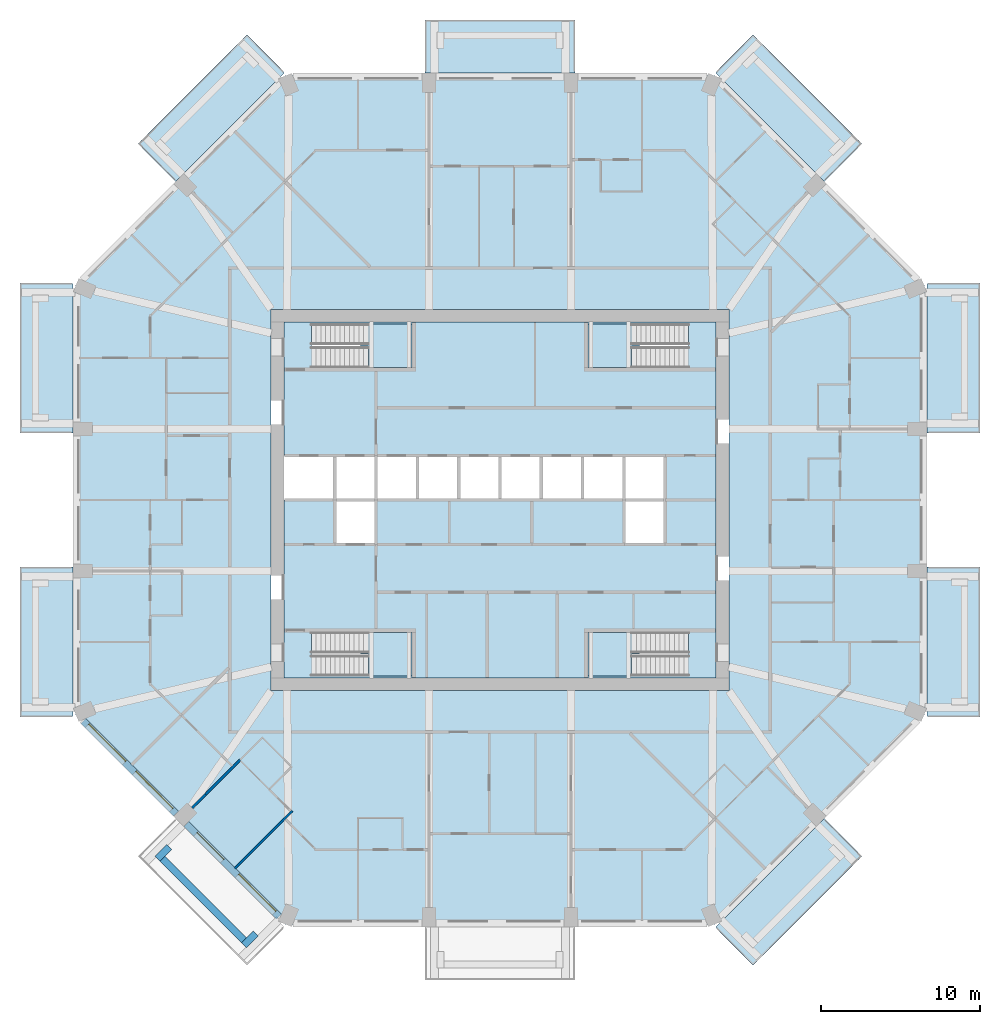
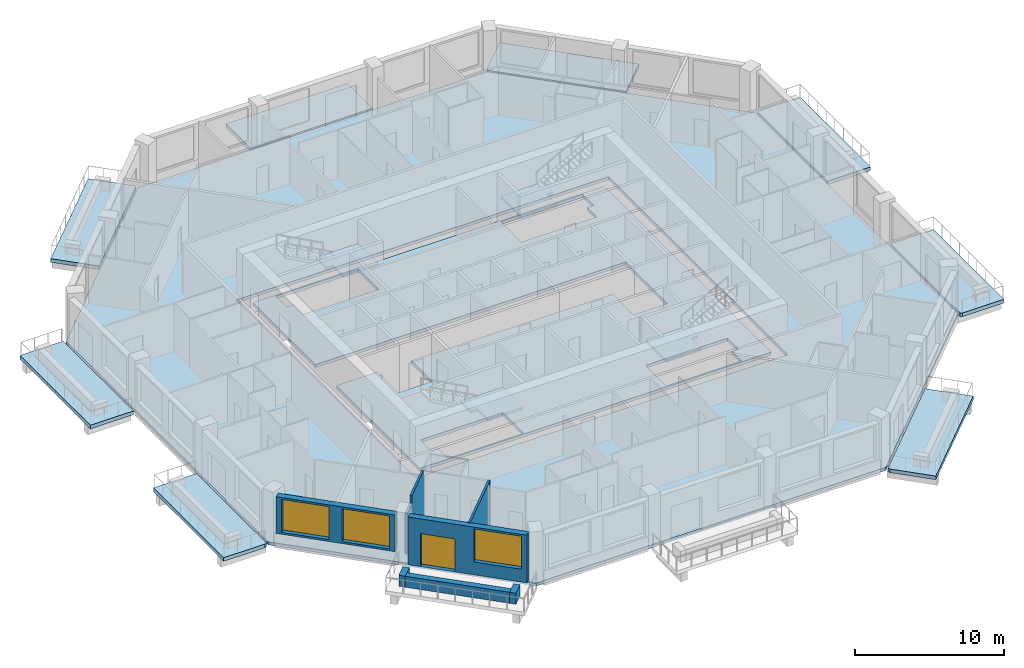
# One storey, part 2 of 13: 14 slabs, 8 walls, 3 windows, 1 door, 4 openings, 4 elements without a shape of their own.
"""IFC4 building model written with IfcOpenShell, lengths in metres."""

import ifcopenshell
import ifcopenshell.guid

model = None  # the IFC model being written
_history = None  # IfcOwnerHistory: only IFC2X3 demands one
_inside = {}  # id of a spatial element -> (the spatial element, [elements in it])
_under = {}  # id of a project, library or spatial element -> (it, [spatial elements below it])
_declared = {}  # id of a project -> (the project, [libraries it declares])
_typed = {}  # id of a type object -> (the type object, [elements of that type])
_made_of = {}  # id of a material, layer set ... -> (it, [elements and type objects made of it])


def new_model(schema):
    """Start an empty IFC model of exactly this schema.

    Asked for "IFC4X3", IfcOpenShell would pick the latest addendum, in which some entities
    have other attributes; the version numbers below select the first issue.
    IFC2X3 requires an IfcOwnerHistory on every rooted entity: one is made here for all.
    """
    global model, _history
    if schema == "IFC4X3":
        model = ifcopenshell.file(schema_version=(4, 3, 0, 0))
    else:
        model = ifcopenshell.file(schema=schema)
    _inside.clear()
    _under.clear()
    _declared.clear()
    _typed.clear()
    _made_of.clear()
    _history = None
    if model.schema == "IFC2X3":
        org = make("IfcOrganization", Name="unknown")
        user = make(
            "IfcPersonAndOrganization",
            ThePerson=make("IfcPerson", FamilyName="unknown"),
            TheOrganization=org,
        )
        app = make(
            "IfcApplication",
            ApplicationDeveloper=org,
            Version="unknown",
            ApplicationFullName="unknown",
            ApplicationIdentifier="unknown",
        )
        _history = make(
            "IfcOwnerHistory",
            OwningUser=user,
            OwningApplication=app,
            ChangeAction="ADDED",
            CreationDate=0,
        )
    return model


def make(cls, **values):
    """One entity of the class cls with the attributes given. An attribute that is None is left unset."""
    return model.create_entity(
        cls, **{name: value for name, value in values.items() if value is not None}
    )


def rooted(cls, **values):
    """An entity with a GlobalId (a new one), such as an element, a storey or a relation."""
    return make(cls, GlobalId=ifcopenshell.guid.new(), OwnerHistory=_history, **values)


def si_unit(unit_type, name, prefix=None):
    """IfcSIUnit, for example si_unit("LENGTHUNIT", "METRE", prefix="MILLI")."""
    return make("IfcSIUnit", UnitType=unit_type, Prefix=prefix, Name=name)


def assignment(units):
    """IfcUnitAssignment: the units of a project."""
    return None if units is None else make("IfcUnitAssignment", Units=units)


def point(xyz):
    """IfcCartesianPoint."""
    return None if xyz is None else make("IfcCartesianPoint", Coordinates=xyz)


def direction(xyz):
    """IfcDirection."""
    return None if xyz is None else make("IfcDirection", DirectionRatios=xyz)


def frame(location, z_axis=None, x_axis=None):
    """IfcAxis2Placement3D, a coordinate frame: its origin and axes. An axis left out is left unset."""
    return make(
        "IfcAxis2Placement3D",
        Location=point(location),
        Axis=direction(z_axis),
        RefDirection=direction(x_axis),
    )


def frame_2d(location, x_axis=None):
    """IfcAxis2Placement2D, a coordinate frame in the plane: its origin and x axis."""
    return make(
        "IfcAxis2Placement2D", Location=point(location), RefDirection=direction(x_axis)
    )


def origin():
    """The frame at (0, 0, 0) with its axes left unset."""
    return frame((0.0, 0.0, 0.0))


def place(relative_to, where):
    """IfcLocalPlacement: puts the frame where relative to a parent placement (None: the world)."""
    return make(
        "IfcLocalPlacement", PlacementRelTo=relative_to, RelativePlacement=where
    )


def context(
    kind, dimensions, precision=None, world=None, true_north=None, identifier=None
):
    """IfcGeometricRepresentationContext, for example the 3D "Model" context."""
    return make(
        "IfcGeometricRepresentationContext",
        ContextIdentifier=identifier,
        ContextType=kind,
        CoordinateSpaceDimension=dimensions,
        Precision=precision,
        WorldCoordinateSystem=world,
        TrueNorth=true_north,
    )


def subcontext(parent, identifier, kind, view, scale=None):
    """IfcGeometricRepresentationSubContext, for example "Body" below "Model"."""
    return make(
        "IfcGeometricRepresentationSubContext",
        ContextIdentifier=identifier,
        ContextType=kind,
        ParentContext=parent,
        TargetScale=scale,
        TargetView=view,
    )


def project(units=None, contexts=None):
    """IfcProject with its units and contexts."""
    return rooted(
        "IfcProject",
        Name="project",
        RepresentationContexts=contexts,
        UnitsInContext=assignment(units),
    )


def spatial(cls, under=None, at=None, **own):
    """A site, building, storey or space (cls), placed at a placement, below another one or the project."""
    s = rooted(cls, ObjectPlacement=at, **own)
    if under is not None:
        _under.setdefault(under.id(), (under, []))[1].append(s)
    return s


def polyline(points):
    """IfcPolyline through the points."""
    return make("IfcPolyline", Points=[point(p) for p in points])


def profile(cls, at=None, kind="AREA", **sizes):
    """A parametric profile (cls). Its sizes go by their IFC names, for example OverallWidth=200.0."""
    return make(cls, ProfileType=kind, Position=at, **sizes)


def rectangle(**sizes):
    """IfcRectangleProfileDef."""
    return profile("IfcRectangleProfileDef", **sizes)


def outline(outer, holes=None, kind="AREA"):
    """IfcArbitraryClosedProfileDef: a profile drawn as a closed curve; with holes, ...WithVoids."""
    if holes is None:
        return make("IfcArbitraryClosedProfileDef", ProfileType=kind, OuterCurve=outer)
    return make(
        "IfcArbitraryProfileDefWithVoids",
        ProfileType=kind,
        OuterCurve=outer,
        InnerCurves=holes,
    )


def extrude(swept, where, along, depth):
    """IfcExtrudedAreaSolid: the profile swept, set in the frame where, extruded along a direction by depth."""
    return make(
        "IfcExtrudedAreaSolid",
        SweptArea=swept,
        Position=where,
        ExtrudedDirection=direction(along),
        Depth=depth,
    )


def shape(context_of_items, identifier, shape_type, items):
    """IfcShapeRepresentation: the items that make up one representation, for example the "Body"."""
    return make(
        "IfcShapeRepresentation",
        ContextOfItems=context_of_items,
        RepresentationIdentifier=identifier,
        RepresentationType=shape_type,
        Items=items,
    )


def material(Name=None, Category=None):
    """IfcMaterial."""
    return make("IfcMaterial", Name=Name, Category=Category)


def layer(
    of_material, thickness, ventilated=None, Name=None, Category=None, Priority=None
):
    """IfcMaterialLayer: one layer of a wall or slab, of a material (None: an air gap)."""
    return make(
        "IfcMaterialLayer",
        Material=of_material,
        LayerThickness=thickness,
        IsVentilated=ventilated,
        Name=Name,
        Category=Category,
        Priority=Priority,
    )


def layer_set(layers, Name=None):
    """IfcMaterialLayerSet."""
    return make("IfcMaterialLayerSet", MaterialLayers=layers, LayerSetName=Name)


def made_of(thing, what):
    """Note that an element or type object is made of a material, layer set ...; save() writes the relation."""
    if what is not None:
        _made_of.setdefault(what.id(), (what, []))[1].append(thing)
    return thing


def type_object(cls, material=None, **own):
    """A type object (cls), such as IfcWallType, which elements share."""
    return made_of(rooted(cls, **own), material)


def element(
    cls,
    number,
    at=None,
    inside=None,
    cuts=None,
    type_object=None,
    material=None,
    context=None,
    identifier="Body",
    shape_type=None,
    held_by="IfcProductDefinitionShape",
    body=None,
    shapes=None,
    **own,
):
    """One element of the class cls, such as IfcWall. Its Tag is "e" and its number.

    at: its placement. inside: the storey or other place that contains it. cuts: it is an
    opening in that element (IfcRelVoidsElement). A single representation is given by context,
    identifier, shape_type and body (its items); several are given by shapes. held_by: the class
    of the entity that holds the representations. save() writes the other relations.
    """
    e = rooted(cls, Tag="e%d" % number, ObjectPlacement=at, **own)
    if body is not None:
        shapes = [shape(context, identifier, shape_type, body)]
    if shapes is not None:
        e.Representation = make(held_by, Representations=shapes)
    if inside is not None:
        _inside.setdefault(inside.id(), (inside, []))[1].append(e)
    if cuts is not None:
        rooted(
            "IfcRelVoidsElement", RelatingBuildingElement=cuts, RelatedOpeningElement=e
        )
    if type_object is not None:
        _typed.setdefault(type_object.id(), (type_object, []))[1].append(e)
    return made_of(e, material)


def fill(opening, filler):
    """IfcRelFillsElement: the door or window that sits in an opening."""
    return rooted(
        "IfcRelFillsElement",
        RelatingOpeningElement=opening,
        RelatedBuildingElement=filler,
    )


def aggregate(whole, parts):
    """IfcRelAggregates: a whole, such as a stair, and the parts it consists of."""
    return rooted("IfcRelAggregates", RelatingObject=whole, RelatedObjects=parts)


def save(model, path):
    """Write the relations noted so far, then the file.

    IfcRelAggregates (storeys below a building ...), IfcRelContainedInSpatialStructure (elements
    in a storey), IfcRelDefinesByType, IfcRelAssociatesMaterial and IfcRelDeclares: one each for
    every whole, place, type object, material and project.
    """
    for whole, parts in _under.values():
        aggregate(whole, parts)
    for where, things in _inside.values():
        rooted(
            "IfcRelContainedInSpatialStructure",
            RelatedElements=things,
            RelatingStructure=where,
        )
    for kind, things in _typed.values():
        rooted("IfcRelDefinesByType", RelatedObjects=things, RelatingType=kind)
    for what, things in _made_of.values():
        rooted("IfcRelAssociatesMaterial", RelatedObjects=things, RelatingMaterial=what)
    for by, libraries in _declared.values():
        rooted("IfcRelDeclares", RelatingContext=by, RelatedDefinitions=libraries)
    model.write(path)


model = new_model("IFC4")

# Units and contexts
model_context = context("Model", 3, precision=1e-05, world=origin(), true_north=direction((0.0, 1.0)))
body_context = subcontext(model_context, "Body", "Model", "MODEL_VIEW")
ifc_project = project(units=[si_unit("LENGTHUNIT", "METRE"), si_unit("AREAUNIT", "SQUARE_METRE"), si_unit("VOLUMEUNIT", "CUBIC_METRE"), si_unit("PLANEANGLEUNIT", "RADIAN"), si_unit("MASSUNIT", "GRAM", prefix="KILO")], contexts=[model_context])

# Site, building, storey
site_placement = place(None, origin())
site = spatial("IfcSite", under=ifc_project, at=site_placement, CompositionType="ELEMENT")
building_placement = place(site_placement, origin())
building = spatial("IfcBuilding", under=site, at=building_placement, Name="Msitu Wima Residences", CompositionType="ELEMENT")
storey_placement = place(building_placement, frame((0.0, 0.0, 131.699951171875)))
storey = spatial("IfcBuildingStorey", under=building, at=storey_placement, Name="L30", CompositionType="ELEMENT", Elevation=131.699951171875)

# Slabs
ifc_material_1 = material(Name="Concrete C40/50", Category="concrete")
ifc_layer_1 = layer(ifc_material_1, 0.300048828125)
ifc_layer_set_1 = layer_set([ifc_layer_1], Name="Concrete C40/50")
slab_type_1 = type_object("IfcSlabType", Name="Balcony slab BS300", PredefinedType="FLOOR", material=ifc_layer_set_1)
slab_1_placement = place(storey_placement, frame((0.0, 0.0, -0.300048828125)))
element("IfcSlab", 1, at=slab_1_placement, inside=storey, type_object=slab_type_1, Name="Balcony E0 L30", PredefinedType="FLOOR", context=body_context, shape_type="SweptSolid", body=[
    extrude(outline(polyline([(26.85009765625, -13.105224609375), (26.85009765625, -13.105224609375), (26.85009765625, -4.918701171875), (26.85009765625, -4.918701171875), (26.85009765625, -4.21875), (30.199951171875, -4.21875), (30.199951171875, -13.656005859375), (27.003662109375, -13.656005859375), (26.85009765625, -13.59228515625), (26.85009765625, -13.105224609375), (26.85009765625, -13.105224609375)])), origin(), (0.0, 0.0, 1.0), 0.300048828125),
])
slab_2_placement = place(storey_placement, frame((0.0, 0.0, -0.300048828125)))
element("IfcSlab", 2, at=slab_2_placement, inside=storey, type_object=slab_type_1, Name="Balcony E2 L30", PredefinedType="FLOOR", context=body_context, shape_type="SweptSolid", body=[
    extrude(outline(polyline([(26.85009765625, 13.105224609375), (26.85009765625, 13.105224609375), (26.85009765625, 13.59228515625), (27.003662109375, 13.656005859375), (30.199951171875, 13.656005859375), (30.199951171875, 4.21875), (26.85009765625, 4.21875), (26.85009765625, 4.918701171875), (26.85009765625, 4.918701171875), (26.85009765625, 13.105224609375), (26.85009765625, 13.105224609375)])), origin(), (0.0, 0.0, 1.0), 0.300048828125),
])
slab_3_placement = place(storey_placement, frame((0.0, 0.0, -0.300048828125)))
element("IfcSlab", 3, at=slab_3_placement, inside=storey, type_object=slab_type_1, Name="Balcony NE1 L30", PredefinedType="FLOOR", context=body_context, shape_type="SweptSolid", body=[
    extrude(outline(polyline([(15.916015625, 29.263671875), (22.766845703125, 22.4130859375), (20.39794921875, 20.04443359375), (13.59228515625, 26.85009765625), (13.656005859375, 27.003662109375), (15.916015625, 29.263671875)])), origin(), (0.0, 0.0, 1.0), 0.300048828125),
])
slab_4_placement = place(storey_placement, frame((0.0, 0.0, -0.300048828125)))
element("IfcSlab", 4, at=slab_4_placement, inside=storey, type_object=slab_type_1, Name="Balcony N1 L30", PredefinedType="FLOOR", context=body_context, shape_type="SweptSolid", body=[
    extrude(outline(polyline([(-4.0185546875, 26.85009765625), (-4.0185546875, 26.85009765625), (-4.71875, 26.85009765625), (-4.71875, 30.199951171875), (4.71875, 30.199951171875), (4.71875, 26.85009765625), (4.0185546875, 26.85009765625), (4.0185546875, 26.85009765625), (-4.0185546875, 26.85009765625)])), origin(), (0.0, 0.0, 1.0), 0.300048828125),
])
slab_5_placement = place(storey_placement, frame((0.0, 0.0, -0.300048828125)))
element("IfcSlab", 5, at=slab_5_placement, inside=storey, type_object=slab_type_1, Name="Balcony NW0 L30", PredefinedType="FLOOR", context=body_context, shape_type="SweptSolid", body=[
    extrude(outline(polyline([(-22.766845703125, 22.4130859375), (-15.916015625, 29.263671875), (-13.656005859375, 27.003662109375), (-13.59228515625, 26.85009765625), (-20.39794921875, 20.04443359375), (-22.766845703125, 22.4130859375)])), origin(), (0.0, 0.0, 1.0), 0.300048828125),
])
slab_6_placement = place(storey_placement, frame((0.0, 0.0, -0.300048828125)))
element("IfcSlab", 6, at=slab_6_placement, inside=storey, type_object=slab_type_1, Name="Balcony W0 L30", PredefinedType="FLOOR", context=body_context, shape_type="SweptSolid", body=[
    extrude(outline(polyline([(-26.85009765625, 13.105224609375), (-26.85009765625, 13.105224609375), (-26.85009765625, 4.918701171875), (-26.85009765625, 4.918701171875), (-26.85009765625, 4.21875), (-30.199951171875, 4.21875), (-30.199951171875, 13.656005859375), (-27.003662109375, 13.656005859375), (-26.85009765625, 13.59228515625), (-26.85009765625, 13.105224609375), (-26.85009765625, 13.105224609375)])), origin(), (0.0, 0.0, 1.0), 0.300048828125),
])
slab_7_placement = place(storey_placement, frame((0.0, 0.0, -0.300048828125)))
element("IfcSlab", 7, at=slab_7_placement, inside=storey, type_object=slab_type_1, Name="Balcony W2 L30", PredefinedType="FLOOR", context=body_context, shape_type="SweptSolid", body=[
    extrude(outline(polyline([(-26.85009765625, -13.105224609375), (-26.85009765625, -13.105224609375), (-26.85009765625, -13.59228515625), (-27.003662109375, -13.656005859375), (-30.199951171875, -13.656005859375), (-30.199951171875, -4.21875), (-26.85009765625, -4.21875), (-26.85009765625, -4.918701171875), (-26.85009765625, -4.918701171875), (-26.85009765625, -13.105224609375), (-26.85009765625, -13.105224609375)])), origin(), (0.0, 0.0, 1.0), 0.300048828125),
])
slab_8_placement = place(storey_placement, frame((0.0, 0.0, -0.300048828125)))
element("IfcSlab", 8, at=slab_8_placement, inside=storey, type_object=slab_type_1, Name="Balcony SE0 L30", PredefinedType="FLOOR", context=body_context, shape_type="SweptSolid", body=[
    extrude(outline(polyline([(22.766845703125, -22.4130859375), (15.916015625, -29.263671875), (13.656005859375, -27.003662109375), (13.59228515625, -26.85009765625), (20.39794921875, -20.04443359375), (22.766845703125, -22.4130859375)])), origin(), (0.0, 0.0, 1.0), 0.300048828125),
])
ifc_layer_2 = layer(ifc_material_1, 0.25)
ifc_layer_set_2 = layer_set([ifc_layer_2], Name="Concrete C40/50")
slab_type_2 = type_object("IfcSlabType", Name="Core floor CF250", PredefinedType="FLOOR", material=ifc_layer_set_2)
slab_9_placement = place(storey_placement, frame((0.0, 0.0, -0.25)))
element("IfcSlab", 9, at=slab_9_placement, inside=storey, type_object=slab_type_2, Name="Core floor", PredefinedType="FLOOR", context=body_context, shape_type="SweptSolid", body=[
    extrude(outline(polyline([(-13.60009765625, 11.199951171875), (-13.60009765625, 2.800048828125), (-10.39990234375, 2.800048828125), (-7.800048828125, 2.800048828125), (-5.199951171875, 2.800048828125), (-2.60009765625, 2.800048828125), (0.0, 2.800048828125), (2.60009765625, 2.800048828125), (5.199951171875, 2.800048828125), (7.800048828125, 2.800048828125), (10.39990234375, 2.800048828125), (10.39990234375, 0.0), (10.39990234375, -2.800048828125), (7.800048828125, -2.800048828125), (7.800048828125, 0.0), (5.199951171875, 0.0), (2.60009765625, 0.0), (0.0, 0.0), (-2.60009765625, 0.0), (-5.199951171875, 0.0), (-7.800048828125, 0.0), (-7.800048828125, -2.800048828125), (-10.39990234375, -2.800048828125), (-10.39990234375, 0.0), (-13.60009765625, 0.0), (-13.60009765625, -11.199951171875), (13.60009765625, -11.199951171875), (13.60009765625, 11.199951171875), (-13.60009765625, 11.199951171875)]), holes=[polyline([(-11.375, -11.074951171875), (-11.375, -9.77490234375), (-11.87451171875, -9.77490234375), (-11.87451171875, -8.324951171875), (-5.52490234375, -8.324951171875), (-5.52490234375, -11.074951171875), (-11.375, -11.074951171875)]), polyline([(-11.375, 9.625), (-11.87451171875, 9.625), (-11.87451171875, 11.074951171875), (-5.52490234375, 11.074951171875), (-5.52490234375, 8.324951171875), (-11.375, 8.324951171875), (-11.375, 9.625)]), polyline([(11.375, -9.77490234375), (11.375, -11.074951171875), (5.52490234375, -11.074951171875), (5.52490234375, -8.324951171875), (11.87451171875, -8.324951171875), (11.87451171875, -9.77490234375), (11.375, -9.77490234375)]), polyline([(11.375, 9.625), (11.375, 8.324951171875), (5.52490234375, 8.324951171875), (5.52490234375, 11.074951171875), (11.87451171875, 11.074951171875), (11.87451171875, 9.625), (11.375, 9.625)])]), origin(), (0.0, 0.0, 1.0), 0.25),
])
ifc_layer_3 = layer(ifc_material_1, 0.25)
ifc_layer_set_3 = layer_set([ifc_layer_3], Name="Concrete C40/50")
slab_type_3 = type_object("IfcSlabType", Name="PT flat slab 250 Concrete C40/50", PredefinedType="FLOOR", material=ifc_layer_set_3)
slab_10_placement = place(storey_placement, frame((0.0, 0.0, -0.25)))
element("IfcSlab", 10, at=slab_10_placement, inside=storey, type_object=slab_type_3, Name="Floor slab L30", PredefinedType="FLOOR", context=body_context, shape_type="SweptSolid", body=[
    extrude(outline(polyline([(26.699951171875, -13.5302734375), (13.5302734375, -26.699951171875), (-13.5302734375, -26.699951171875), (-26.699951171875, -13.5302734375), (-26.699951171875, 13.5302734375), (-13.5302734375, 26.699951171875), (13.5302734375, 26.699951171875), (26.699951171875, 13.5302734375), (26.699951171875, -13.5302734375)]), holes=[polyline([(-14.39990234375, -12.0), (14.39990234375, -12.0), (14.39990234375, 12.0), (-14.39990234375, 12.0), (-14.39990234375, -12.0)])]), origin(), (0.0, 0.0, 1.0), 0.25),
])

# Stair, slab
stair_type = type_object("IfcStairType", Name="Exit stair ES1615-130", PredefinedType="HALF_TURN_STAIR", material=ifc_material_1)
stair_1_placement = place(storey_placement, origin())
stair_1 = element("IfcStair", 11, at=stair_1_placement, inside=storey, type_object=stair_type, Name="Exit stair 1", PredefinedType="HALF_TURN_STAIR")
ifc_layer_4 = layer(ifc_material_1, 0.199951171875)
ifc_layer_set_4 = layer_set([ifc_layer_4], Name="Concrete C40/50")
slab_type_4 = type_object("IfcSlabType", Name="Stair landing SL200", PredefinedType="LANDING", material=ifc_layer_set_4)
slab_11_placement = place(storey_placement, frame((0.0, 0.0, 1.900146484375)))
slab_11 = element("IfcSlab", 12, at=slab_11_placement, type_object=slab_type_4, Name="S1 landing 1", PredefinedType="LANDING", context=body_context, shape_type="SweptSolid", body=[
    extrude(outline(polyline([(-5.52490234375, 8.324951171875), (-8.275390625, 8.324951171875), (-8.275390625, 9.699951171875), (-8.77490234375, 9.699951171875), (-8.77490234375, 11.074951171875), (-5.52490234375, 11.074951171875), (-5.52490234375, 8.324951171875)])), origin(), (0.0, 0.0, 1.0), 0.199951171875),
])
aggregate(stair_1, [slab_11])

stair_2_placement = place(storey_placement, origin())
stair_2 = element("IfcStair", 13, at=stair_2_placement, inside=storey, type_object=stair_type, Name="Exit stair 2", PredefinedType="HALF_TURN_STAIR")
slab_12_placement = place(storey_placement, frame((0.0, 0.0, 1.900146484375)))
slab_12 = element("IfcSlab", 14, at=slab_12_placement, type_object=slab_type_4, Name="S2 landing 1", PredefinedType="LANDING", context=body_context, shape_type="SweptSolid", body=[
    extrude(outline(polyline([(-5.52490234375, -11.074951171875), (-8.275390625, -11.074951171875), (-8.275390625, -9.699951171875), (-8.77490234375, -9.699951171875), (-8.77490234375, -8.324951171875), (-5.52490234375, -8.324951171875), (-5.52490234375, -11.074951171875)])), origin(), (0.0, 0.0, 1.0), 0.199951171875),
])
aggregate(stair_2, [slab_12])

stair_3_placement = place(storey_placement, origin())
stair_3 = element("IfcStair", 15, at=stair_3_placement, inside=storey, type_object=stair_type, Name="Exit stair 3", PredefinedType="HALF_TURN_STAIR")
slab_13_placement = place(storey_placement, frame((0.0, 0.0, 1.900146484375)))
slab_13 = element("IfcSlab", 16, at=slab_13_placement, type_object=slab_type_4, Name="S3 landing 1", PredefinedType="LANDING", context=body_context, shape_type="SweptSolid", body=[
    extrude(outline(polyline([(5.52490234375, 8.324951171875), (8.275390625, 8.324951171875), (8.275390625, 9.699951171875), (8.77490234375, 9.699951171875), (8.77490234375, 11.074951171875), (5.52490234375, 11.074951171875), (5.52490234375, 8.324951171875)])), origin(), (0.0, 0.0, 1.0), 0.199951171875),
])
aggregate(stair_3, [slab_13])

stair_4_placement = place(storey_placement, origin())
stair_4 = element("IfcStair", 17, at=stair_4_placement, inside=storey, type_object=stair_type, Name="Exit stair 4", PredefinedType="HALF_TURN_STAIR")
slab_14_placement = place(storey_placement, frame((0.0, 0.0, 1.900146484375)))
slab_14 = element("IfcSlab", 18, at=slab_14_placement, type_object=slab_type_4, Name="S4 landing 1", PredefinedType="LANDING", context=body_context, shape_type="SweptSolid", body=[
    extrude(outline(polyline([(5.52490234375, -11.074951171875), (8.275390625, -11.074951171875), (8.275390625, -9.699951171875), (8.77490234375, -9.699951171875), (8.77490234375, -8.324951171875), (5.52490234375, -8.324951171875), (5.52490234375, -11.074951171875)])), origin(), (0.0, 0.0, 1.0), 0.199951171875),
])
aggregate(stair_4, [slab_14])

# Walls
ifc_material_2 = material(Name="Facing brick")
ifc_layer_5 = layer(ifc_material_2, 0.06494140625, Name="Facing brick")
ifc_layer_6 = layer(ifc_material_1, 0.156005859375, Name="Concrete C40/50")
ifc_material_3 = material(Name="Waterproofing membrane")
ifc_layer_7 = layer(ifc_material_3, 0.00390625, Name="Waterproofing membrane")
ifc_material_4 = material(Name="Planting soil and planting")
ifc_layer_8 = layer(ifc_material_4, 0.22509765625, Name="Planting soil and planting")
ifc_layer_set_5 = layer_set([ifc_layer_5, ifc_layer_6, ifc_layer_7, ifc_layer_8], Name="Concrete C40/50")
wall_type_1 = type_object("IfcWallType", Name="Balcony planter PLANTER PL450", PredefinedType="USERDEFINED", material=ifc_layer_set_5)
wall_1_placement = place(storey_placement, frame((-21.228759765625, -22.572265625, 0.0), z_axis=(0.0, 0.0, 1.0), x_axis=(0.707106781187, -0.707106781187, 0.0)))
element("IfcWall", 19, at=wall_1_placement, inside=storey, type_object=wall_type_1, Name="Balcony planter SW1 L30", ObjectType="PLANTER", PredefinedType="USERDEFINED", context=body_context, shape_type="SweptSolid", body=[
    extrude(rectangle(XDim=7.23828125, YDim=0.449951171875, at=frame_2d((3.619140625, 0.0))), origin(), (0.0, 0.0, 1.0), 0.900146484375),
])
for number, where, z_axis, x_axis, name in (
    (20, (-20.804443359375, -21.829833984375, 0.0), (0.0, 0.0, 1.0), (-0.707106781187, -0.707106781187, 0.0), "Balcony planter SW1 L30"),
    (21, (-15.3681640625, -27.26611328125, 0.0), (0.0, 0.0, 1.0), (-0.706990528533, -0.707223014731, 0.0), "Balcony planter SW1 L30"),
):
    element("IfcWall", number, at=place(storey_placement, frame(where, z_axis=z_axis, x_axis=x_axis)), inside=storey, type_object=wall_type_1, Name=name, ObjectType="PLANTER", PredefinedType="USERDEFINED", context=body_context, shape_type="SweptSolid", body=[
        extrude(rectangle(XDim=1.050048828125, YDim=0.449951171875, at=frame_2d((0.52490234375, 0.0))), origin(), (0.0, 0.0, 1.0), 0.900146484375),
    ])

# Wall, openings, windows
ifc_material_5 = material(Name="Brick (red buff mix)", Category="masonry")
ifc_layer_9 = layer(ifc_material_5, 0.449951171875)
ifc_layer_set_6 = layer_set([ifc_layer_9], Name="Brick (red buff mix)")
wall_type_2 = type_object("IfcWallType", Name="Brick infill wall BW450", PredefinedType="SOLIDWALL", material=ifc_layer_set_6)
wall_2_placement = place(storey_placement, frame((-26.214599609375, -13.909423828125, 0.900146484375), z_axis=(0.0, 0.0, 1.0), x_axis=(0.707106781187, -0.707106781187, 0.0)))
wall_2 = element("IfcWall", 22, at=wall_2_placement, inside=storey, type_object=wall_type_2, Name="Brick infill wall L30 SW0", PredefinedType="SOLIDWALL", context=body_context, shape_type="SweptSolid", body=[
    extrude(rectangle(XDim=8.251220703125, YDim=0.449951171875, at=frame_2d((4.12548828125, 0.0))), origin(), (0.0, 0.0, 1.0), 3.0),
])
opening_1_placement = place(wall_2_placement, frame((0.37548828125, 0.0, 0.14990234375)))
opening_1 = element("IfcOpeningElement", 23, at=opening_1_placement, cuts=wall_2, Name="Opening W30-32.024", PredefinedType="OPENING", context=body_context, shape_type="SweptSolid", body=[
    extrude(rectangle(XDim=3.300048828125, YDim=2.699951171875, at=frame_2d((1.64990234375, 1.35009765625))), frame((0.0, 0.23486328125, 0.0), z_axis=(0.0, -1.0, 0.0), x_axis=(1.0, 0.0, 0.0)), (0.0, 0.0, 1.0), 0.469970703125),
])
opening_2_placement = place(wall_2_placement, frame((4.57568359375, 0.0, 0.14990234375)))
opening_2 = element("IfcOpeningElement", 24, at=opening_2_placement, cuts=wall_2, Name="Opening W30-32.025", PredefinedType="OPENING", context=body_context, shape_type="SweptSolid", body=[
    extrude(rectangle(XDim=3.300048828125, YDim=2.699951171875, at=frame_2d((1.64990234375, 1.35009765625))), frame((0.0, 0.23486328125, 0.0), z_axis=(0.0, -1.0, 0.0), x_axis=(1.0, 0.0, 0.0)), (0.0, 0.0, 1.0), 0.469970703125),
])
ifc_material_6 = material(Name="Anodised aluminium, bronze finish, clear low-emissivity double glazing", Category="aluminium")
window_type = type_object("IfcWindowType", Name="Window W3300x2700", PartitioningType="DOUBLE_PANEL_VERTICAL", PredefinedType="WINDOW", material=ifc_material_6)
window_1_placement = place(opening_1_placement, origin())
window_1 = element("IfcWindow", 25, at=window_1_placement, inside=storey, type_object=window_type, Name="Window L30 SW0.1", OverallHeight=2.699951171875, OverallWidth=3.300048828125, PartitioningType="SINGLE_PANEL", PredefinedType="WINDOW", context=body_context, shape_type="SweptSolid", body=[
    extrude(rectangle(XDim=3.300048828125, YDim=2.699951171875, at=frame_2d((1.64990234375, 1.35009765625))), frame((0.0, 0.135009765625, 0.0), z_axis=(0.0, -1.0, 0.0), x_axis=(1.0, 0.0, 0.0)), (0.0, 0.0, 1.0), 0.06005859375),
])
fill(opening_1, window_1)
window_2_placement = place(opening_2_placement, origin())
window_2 = element("IfcWindow", 26, at=window_2_placement, inside=storey, type_object=window_type, Name="Window L30 SW0.2", OverallHeight=2.699951171875, OverallWidth=3.300048828125, PartitioningType="SINGLE_PANEL", PredefinedType="WINDOW", context=body_context, shape_type="SweptSolid", body=[
    extrude(rectangle(XDim=3.300048828125, YDim=2.699951171875, at=frame_2d((1.64990234375, 1.35009765625))), frame((0.0, 0.135009765625, 0.0), z_axis=(0.0, -1.0, 0.0), x_axis=(1.0, 0.0, 0.0)), (0.0, 0.0, 1.0), 0.06005859375),
])
fill(opening_2, window_2)

# Wall, openings, door, window
wall_3_placement = place(storey_placement, frame((-19.743896484375, -20.380126953125, 0.0), z_axis=(0.0, 0.0, 1.0), x_axis=(0.707106781187, -0.707106781187, 0.0)))
wall_3 = element("IfcWall", 27, at=wall_3_placement, inside=storey, type_object=wall_type_2, Name="Brick infill wall L30 SW1", PredefinedType="SOLIDWALL", context=body_context, shape_type="SweptSolid", body=[
    extrude(rectangle(XDim=8.251220703125, YDim=0.449951171875, at=frame_2d((4.12548828125, 0.0))), origin(), (0.0, 0.0, 1.0), 3.900146484375),
])
opening_3_placement = place(wall_3_placement, frame((0.86279296875, 0.0, 0.0)))
opening_3 = element("IfcOpeningElement", 28, at=opening_3_placement, cuts=wall_3, Name="Opening D30-32.008", PredefinedType="OPENING", context=body_context, shape_type="SweptSolid", body=[
    extrude(rectangle(XDim=2.39990234375, YDim=2.699951171875, at=frame_2d((1.199951171875, 1.35009765625))), frame((0.0, 0.23486328125, 0.0), z_axis=(0.0, -1.0, 0.0), x_axis=(1.0, 0.0, 0.0)), (0.0, 0.0, 1.0), 0.469970703125),
])
opening_4_placement = place(wall_3_placement, frame((4.57568359375, 0.0, 1.050048828125)))
opening_4 = element("IfcOpeningElement", 29, at=opening_4_placement, cuts=wall_3, Name="Opening W30-32.026", PredefinedType="OPENING", context=body_context, shape_type="SweptSolid", body=[
    extrude(rectangle(XDim=3.300048828125, YDim=2.699951171875, at=frame_2d((1.64990234375, 1.35009765625))), frame((0.0, 0.23486328125, 0.0), z_axis=(0.0, -1.0, 0.0), x_axis=(1.0, 0.0, 0.0)), (0.0, 0.0, 1.0), 0.469970703125),
])
door_type = type_object("IfcDoorType", Name="Balcony door D2400x2700", OperationType="SLIDING_TO_LEFT", PredefinedType="DOOR", material=ifc_material_6)
door_placement = place(opening_3_placement, origin())
door = element("IfcDoor", 30, at=door_placement, inside=storey, type_object=door_type, Name="Balcony door L30 SW1", OperationType="SINGLE_SWING_LEFT", OverallHeight=2.699951171875, OverallWidth=2.39990234375, PredefinedType="DOOR", context=body_context, shape_type="SweptSolid", body=[
    extrude(rectangle(XDim=2.39990234375, YDim=2.699951171875, at=frame_2d((1.199951171875, 1.35009765625))), frame((0.0, 0.1298828125, 0.0), z_axis=(0.0, -1.0, 0.0), x_axis=(1.0, 0.0, 0.0)), (0.0, 0.0, 1.0), 0.050048828125),
])
fill(opening_3, door)
window_3_placement = place(opening_4_placement, origin())
window_3 = element("IfcWindow", 31, at=window_3_placement, inside=storey, type_object=window_type, Name="Window L30 SW1.2", OverallHeight=2.699951171875, OverallWidth=3.300048828125, PartitioningType="SINGLE_PANEL", PredefinedType="WINDOW", context=body_context, shape_type="SweptSolid", body=[
    extrude(rectangle(XDim=3.300048828125, YDim=2.699951171875, at=frame_2d((1.64990234375, 1.35009765625))), frame((0.0, 0.135009765625, 0.0), z_axis=(0.0, -1.0, 0.0), x_axis=(1.0, 0.0, 0.0)), (0.0, 0.0, 1.0), 0.06005859375),
])
fill(opening_4, window_3)

# Walls
ifc_material_7 = material(Name="Plaster")
ifc_layer_10 = layer(ifc_material_7, 0.011962890625, Name="Plaster")
ifc_material_8 = material(Name="Concrete blockwork", Category="masonry")
ifc_layer_11 = layer(ifc_material_8, 0.1259765625, Name="Concrete blockwork")
ifc_layer_12 = layer(ifc_material_7, 0.011962890625, Name="Plaster")
ifc_layer_set_7 = layer_set([ifc_layer_10, ifc_layer_11, ifc_layer_12], Name="Concrete blockwork")
wall_type_3 = type_object("IfcWallType", Name="Partition PW150", PredefinedType="PARTITIONING", material=ifc_layer_set_7)
wall_4_placement = place(storey_placement, frame((-19.37255859375, -19.37255859375, 0.0), z_axis=(0.0, 0.0, 1.0), x_axis=(0.707106781187, 0.707106781187, 0.0)))
element("IfcWall", 32, at=wall_4_placement, inside=storey, type_object=wall_type_3, Name="Partition", PredefinedType="PARTITIONING", context=body_context, shape_type="SweptSolid", body=[
    extrude(rectangle(XDim=1.209228515625, YDim=0.14990234375, at=frame_2d((0.6044921875, 0.0))), origin(), (0.0, 0.0, 1.0), 3.300048828125),
])
wall_5_placement = place(storey_placement, frame((-18.517578125, -18.517578125, 0.0), z_axis=(0.0, 0.0, 1.0), x_axis=(0.707106781187, 0.707106781187, 0.0)))
element("IfcWall", 33, at=wall_5_placement, inside=storey, type_object=wall_type_3, Name="Partition", PredefinedType="PARTITIONING", context=body_context, shape_type="SweptSolid", body=[
    extrude(rectangle(XDim=3.060791015625, YDim=0.14990234375, at=frame_2d((1.5302734375, 0.0))), origin(), (0.0, 0.0, 1.0), 3.949951171875),
])
wall_6_placement = place(storey_placement, frame((-16.693359375, -23.1904296875, 0.0), z_axis=(0.0, 0.0, 1.0), x_axis=(0.707106781187, 0.707106781187, 0.0)))
element("IfcWall", 34, at=wall_6_placement, inside=storey, type_object=wall_type_3, Name="Partition", PredefinedType="PARTITIONING", context=body_context, shape_type="SweptSolid", body=[
    extrude(rectangle(XDim=5.1298828125, YDim=0.14990234375, at=frame_2d((2.56494140625, 0.0))), origin(), (0.0, 0.0, 1.0), 3.949951171875),
])

save(model, "model.ifc")
